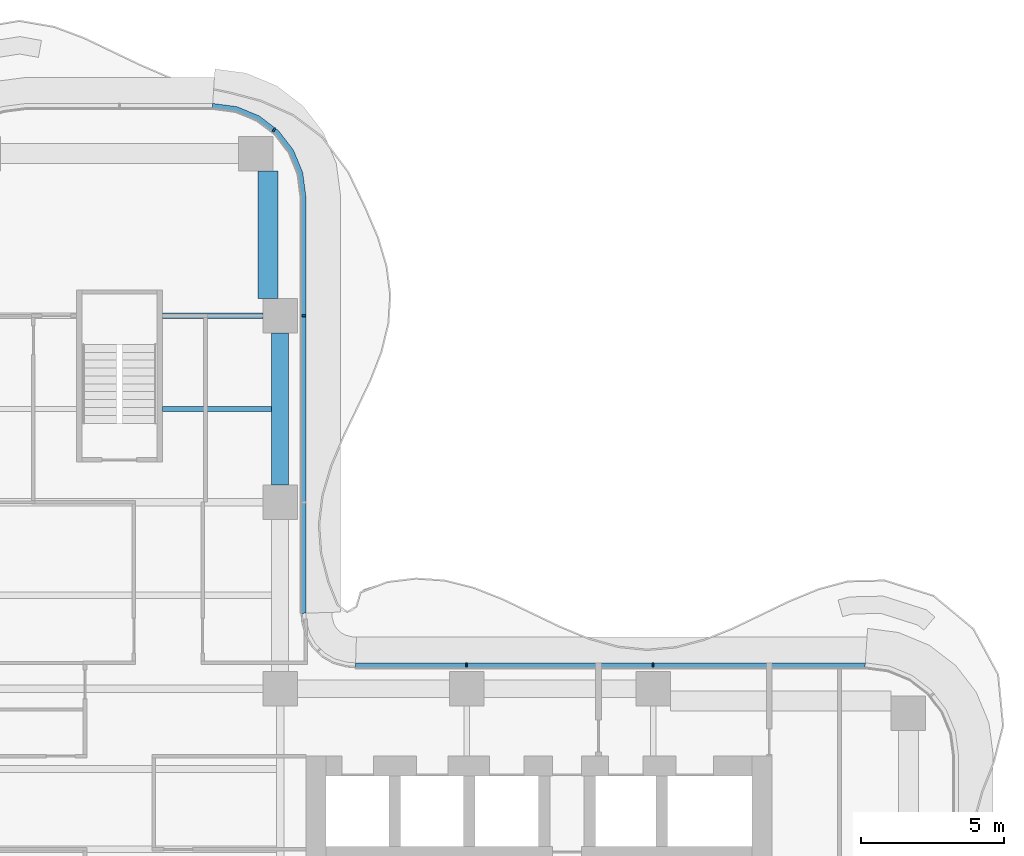
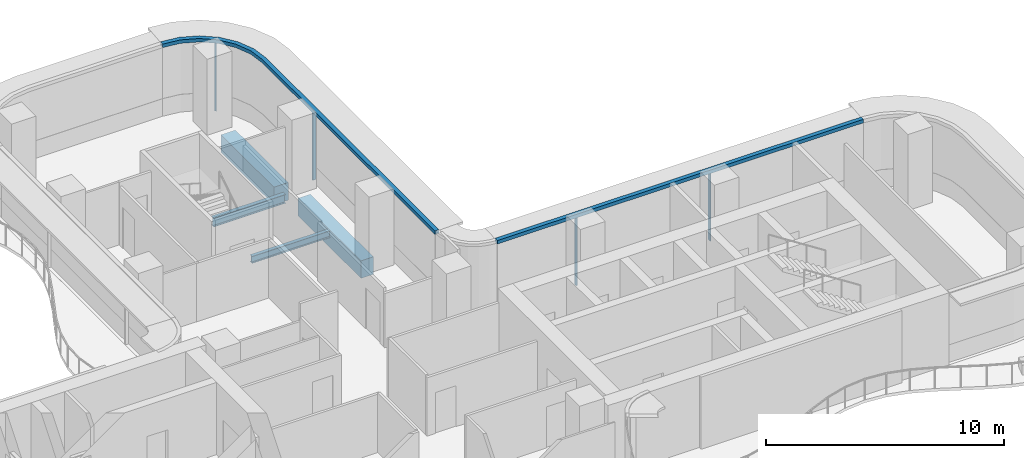
# One storey, part 8 of 18: 6 members, 4 beams, 2 elements without a shape of their own.
"""IFC4 building model written with IfcOpenShell, lengths in metres."""

from ifc_helpers import new_model, si_unit, direction, frame, origin, origin_2d, place, context, subcontext, project, spatial, polyline, rectangle, i_section, outline, extrude, source, transform, mapped, material, layer, layer_set, material_profile, profile_set, type_object, element, aggregate, save


model = new_model("IFC4")

# Units and contexts
model_context = context("Model", 3, precision=1e-05, world=origin(), true_north=direction((0.0, 1.0)))
body_context = subcontext(model_context, "Body", "Model", "MODEL_VIEW")
ifc_project = project(units=[si_unit("LENGTHUNIT", "METRE"), si_unit("AREAUNIT", "SQUARE_METRE"), si_unit("VOLUMEUNIT", "CUBIC_METRE"), si_unit("PLANEANGLEUNIT", "RADIAN"), si_unit("MASSUNIT", "GRAM", prefix="KILO")], contexts=[model_context])

# Site, building, storey
site_placement = place(None, origin())
site = spatial("IfcSite", under=ifc_project, at=site_placement, CompositionType="ELEMENT")
building_placement = place(site_placement, origin())
building = spatial("IfcBuilding", under=site, at=building_placement, Name="Trellis Farm Tower", CompositionType="ELEMENT")
storey_placement = place(building_placement, frame((0.0, 0.0, 169.800048828125)))
storey = spatial("IfcBuildingStorey", under=building, at=storey_placement, Name="L36", CompositionType="ELEMENT", Elevation=169.800048828125)

# Beams
ifc_material_1 = material(Name="Steel S355", Category="steel")
ifc_material_profile_1 = material_profile(ifc_material_1, i_section(OverallWidth=0.1904296875, OverallDepth=0.45703125, WebThickness=0.009033203125, FlangeThickness=0.014404296875, FilletRadius=0.01025390625, at=origin_2d()), Name="UB 457x191x74")
ifc_profile_set_1 = profile_set([ifc_material_profile_1], Name="Steel S355")
beam_type_1 = type_object("IfcBeamType", Name="UB 457x191x74", PredefinedType="BEAM", material=ifc_profile_set_1)
shared_shape_1 = source(origin(), body_context, "Body", "SweptSolid", [
    extrude(i_section(OverallWidth=0.1904296875, OverallDepth=0.45703125, WebThickness=0.009033203125, FlangeThickness=0.014404296875, FilletRadius=0.01025390625, at=origin_2d()), origin(), (0.0, 0.0, 1.0), 3.5),
])
beam_1_placement = place(storey_placement, frame((1.5, 18.60009765625, -0.428466796875), z_axis=(1.0, 0.0, 0.0), x_axis=(0.0, 1.0, 0.0)))
element("IfcBeam", 1, at=beam_1_placement, inside=storey, type_object=beam_type_1, Name="Girder", PredefinedType="BEAM", context=body_context, shape_type="MappedRepresentation", body=[
    mapped(shared_shape_1, transform((0.0, 0.0, 0.0))),
])
ifc_material_2 = material(Name="Concrete C60/75", Category="concrete")
ifc_material_profile_2 = material_profile(ifc_material_2, rectangle(XDim=0.60009765625, YDim=0.89990234375, at=origin_2d()), Name="RC spandrel beam 600x900 C60/75")
ifc_profile_set_2 = profile_set([ifc_material_profile_2], Name="Concrete C60/75")
beam_type_2 = type_object("IfcBeamType", Name="RC spandrel beam 600x900 C60/75", PredefinedType="SPANDREL", material=ifc_profile_set_2)
shared_shape_2 = source(origin(), body_context, "Body", "SweptSolid", [
    extrude(rectangle(XDim=0.60009765625, YDim=0.89990234375, at=origin_2d()), origin(), (0.0, 0.0, 1.0), 5.300048828125),
])
beam_2_placement = place(storey_placement, frame((5.60009765625, 12.699951171875, -0.650146484375), z_axis=(0.0, 1.0, 0.0), x_axis=(-1.0, 0.0, 0.0)))
element("IfcBeam", 2, at=beam_2_placement, inside=storey, type_object=beam_type_2, Name="Girder", PredefinedType="SPANDREL", context=body_context, shape_type="MappedRepresentation", body=[
    mapped(shared_shape_2, transform((0.0, 0.0, 0.0))),
])
ifc_material_profile_3 = material_profile(ifc_material_2, rectangle(XDim=0.699951171875, YDim=0.89990234375, at=origin_2d()), Name="RC spandrel beam 700x900 C60/75")
ifc_profile_set_3 = profile_set([ifc_material_profile_3], Name="Concrete C60/75")
beam_type_3 = type_object("IfcBeamType", Name="RC spandrel beam 700x900 C60/75", PredefinedType="SPANDREL", material=ifc_profile_set_3)
shared_shape_3 = source(origin(), body_context, "Body", "SweptSolid", [
    extrude(rectangle(XDim=0.699951171875, YDim=0.89990234375, at=origin_2d()), origin(), (0.0, 0.0, 1.0), 4.449951171875),
])
beam_3_placement = place(storey_placement, frame((5.175048828125, 19.199951171875, -0.650146484375), z_axis=(0.0, 1.0, 0.0), x_axis=(-1.0, 0.0, 0.0)))
element("IfcBeam", 3, at=beam_3_placement, inside=storey, type_object=beam_type_3, Name="Girder", PredefinedType="SPANDREL", context=body_context, shape_type="MappedRepresentation", body=[
    mapped(shared_shape_3, transform((0.0, 0.0, 0.0))),
])
ifc_material_profile_4 = material_profile(ifc_material_1, i_section(OverallWidth=0.17138671875, OverallDepth=0.35498046875, WebThickness=0.00732421875, FlangeThickness=0.011474609375, FilletRadius=0.01025390625, at=origin_2d()), Name="UB 356x171x51")
ifc_profile_set_4 = profile_set([ifc_material_profile_4], Name="Steel S355")
beam_type_4 = type_object("IfcBeamType", Name="UB 356x171x51 joist", PredefinedType="JOIST", material=ifc_profile_set_4)
shared_shape_4 = source(origin(), body_context, "Body", "SweptSolid", [
    extrude(i_section(OverallWidth=0.17138671875, OverallDepth=0.35498046875, WebThickness=0.00732421875, FlangeThickness=0.011474609375, FilletRadius=0.01025390625, at=origin_2d()), origin(), (0.0, 0.0, 1.0), 3.800048828125),
])
beam_4_placement = place(storey_placement, frame((1.5, 15.35009765625, -0.37744140625), z_axis=(1.0, 0.0, 0.0), x_axis=(0.0, 1.0, 0.0)))
element("IfcBeam", 4, at=beam_4_placement, inside=storey, type_object=beam_type_4, Name="Floor beam", PredefinedType="JOIST", context=body_context, shape_type="MappedRepresentation", body=[
    mapped(shared_shape_4, transform((0.0, 0.0, 0.0))),
])

# Curtain wall, member
ifc_material_3 = material(Name="Aluminium and glass curtain wall", Category="aluminium")
ifc_layer_1 = layer(ifc_material_3, 0.18994140625)
ifc_layer_set_1 = layer_set([ifc_layer_1], Name="RIBBON CURTAIN WALL CW1")
curtain_wall_type = type_object("IfcCurtainWallType", Name="RIBBON CURTAIN WALL CW1", PredefinedType="NOTDEFINED", material=ifc_layer_set_1)
placement_1 = place(storey_placement, origin())
curtain_wall_1 = element("IfcCurtainWall", 5, at=placement_1, inside=storey, type_object=curtain_wall_type, Name="CW1 009", PredefinedType="NOTDEFINED")
ifc_material_4 = material(Name="Aluminium extrusion 6063-T6", Category="aluminium")
ifc_layer_2 = layer(ifc_material_4, 0.199951171875)
ifc_layer_set_2 = layer_set([ifc_layer_2], Name="Aluminium extrusion 6063-T6")
member_type_1 = type_object("IfcMemberType", Name="CW1 TRANSOM 200x180", PredefinedType="USERDEFINED", material=ifc_layer_set_2)
shared_shape_5 = source(origin(), body_context, "Body", "SweptSolid", [
    extrude(outline(polyline([(6.5, 8.2314453125), (6.5, 22.75), (6.38916015625, 23.591064453125), (6.064697265625, 24.375), (5.548095703125, 25.048095703125), (4.875, 25.564697265625), (4.091064453125, 25.88916015625), (3.25, 26.0), (3.23681640625, 25.800048828125), (4.0390625, 25.6943359375), (4.774169921875, 25.389892578125), (5.405517578125, 24.905517578125), (5.889892578125, 24.274169921875), (6.1943359375, 23.5390625), (6.300048828125, 22.73681640625), (6.300048828125, 8.224853515625), (6.5, 8.2314453125)])), origin(), (0.0, 0.0, 1.0), 0.179931640625),
])
placement_2 = place(storey_placement, frame((0.0, 0.0, 3.52001953125)))
member_1 = element("IfcMember", 6, at=placement_2, type_object=member_type_1, Name="TR1 009", ObjectType="TRANSOM", PredefinedType="USERDEFINED", context=body_context, shape_type="MappedRepresentation", body=[
    mapped(shared_shape_5, transform((0.0, 0.0, 0.0))),
])

# Curtain wall, members
curtain_wall_2 = element("IfcCurtainWall", 7, at=placement_1, inside=storey, type_object=curtain_wall_type, Name="CW1 008", PredefinedType="NOTDEFINED")
shared_shape_6 = source(origin(), body_context, "Body", "SweptSolid", [
    extrude(outline(polyline([(26.0, 6.5), (8.2314453125, 6.5), (8.224853515625, 6.300048828125), (25.98681640625, 6.300048828125), (26.0, 6.5)])), origin(), (0.0, 0.0, 1.0), 0.179931640625),
])
member_2 = element("IfcMember", 8, at=placement_2, type_object=member_type_1, Name="TR1 008", ObjectType="TRANSOM", PredefinedType="USERDEFINED", context=body_context, shape_type="MappedRepresentation", body=[
    mapped(shared_shape_6, transform((0.0, 0.0, 0.0))),
])
ifc_material_profile_5 = material_profile(ifc_material_4, rectangle(XDim=0.06005859375, YDim=0.14990234375, at=origin_2d()), Name="MULLION 60x150")
ifc_profile_set_5 = profile_set([ifc_material_profile_5], Name="Aluminium extrusion 6063-T6")
member_type_2 = type_object("IfcMemberType", Name="CW1 MULLION 60x150", PredefinedType="MULLION", material=ifc_profile_set_5)
shared_shape_7 = source(origin(), body_context, "Body", "SweptSolid", [
    extrude(rectangle(XDim=0.06005859375, YDim=0.14990234375, at=origin_2d()), origin(), (0.0, 0.0, 1.0), 3.52001953125),
])
member_3_placement = place(storey_placement, frame((18.60009765625, 6.425048828125, 0.0), z_axis=(0.0, 0.0, 1.0), x_axis=(-1.0, 0.0, 0.0)))
member_3 = element("IfcMember", 9, at=member_3_placement, type_object=member_type_2, Name="MU1 008-01", PredefinedType="MULLION", context=body_context, shape_type="MappedRepresentation", body=[
    mapped(shared_shape_7, transform((0.0, 0.0, 0.0))),
])
member_4_placement = place(storey_placement, frame((12.10009765625, 6.425048828125, 0.0), z_axis=(0.0, 0.0, 1.0), x_axis=(-1.0, 0.0, 0.0)))
member_4 = element("IfcMember", 10, at=member_4_placement, type_object=member_type_2, Name="MU1 008-02", PredefinedType="MULLION", context=body_context, shape_type="MappedRepresentation", body=[
    mapped(shared_shape_7, transform((0.0, 0.0, 0.0))),
])
aggregate(curtain_wall_2, [member_3, member_4, member_2])

# Member
member_5_placement = place(storey_placement, frame((6.425048828125, 18.60009765625, 0.0), z_axis=(0.0, 0.0, 1.0), x_axis=(0.0, 1.0, 0.0)))
member_5 = element("IfcMember", 11, at=member_5_placement, type_object=member_type_2, Name="MU1 009-02", PredefinedType="MULLION", context=body_context, shape_type="MappedRepresentation", body=[
    mapped(shared_shape_7, transform((0.0, 0.0, 0.0))),
])

member_6_placement = place(storey_placement, frame((5.385498046875, 25.078369140625, 0.0), z_axis=(0.0, 0.0, 1.0), x_axis=(-0.793353340291, 0.608761429009, 0.0)))
member_6 = element("IfcMember", 12, at=member_6_placement, type_object=member_type_2, Name="MU1 009-03", PredefinedType="MULLION", context=body_context, shape_type="MappedRepresentation", body=[
    mapped(shared_shape_7, transform((0.0, 0.0, 0.0))),
])

aggregate(curtain_wall_1, [member_5, member_6, member_1])

save(model, "model.ifc")
